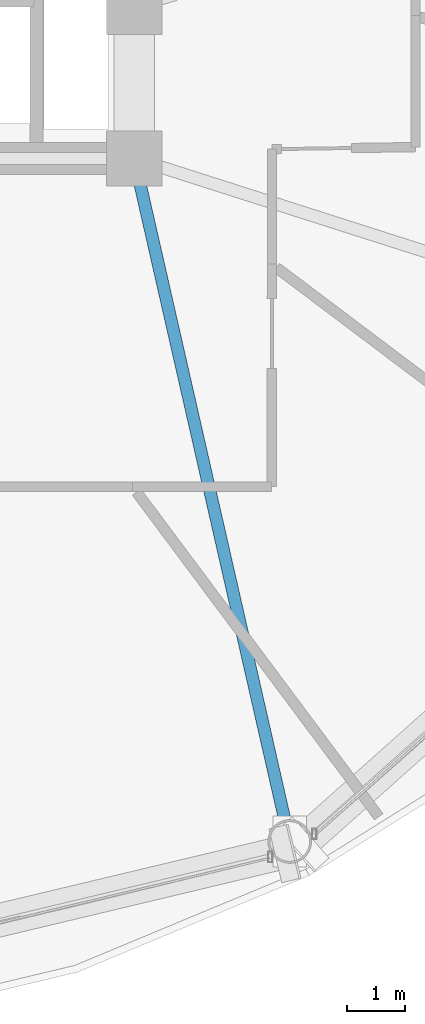
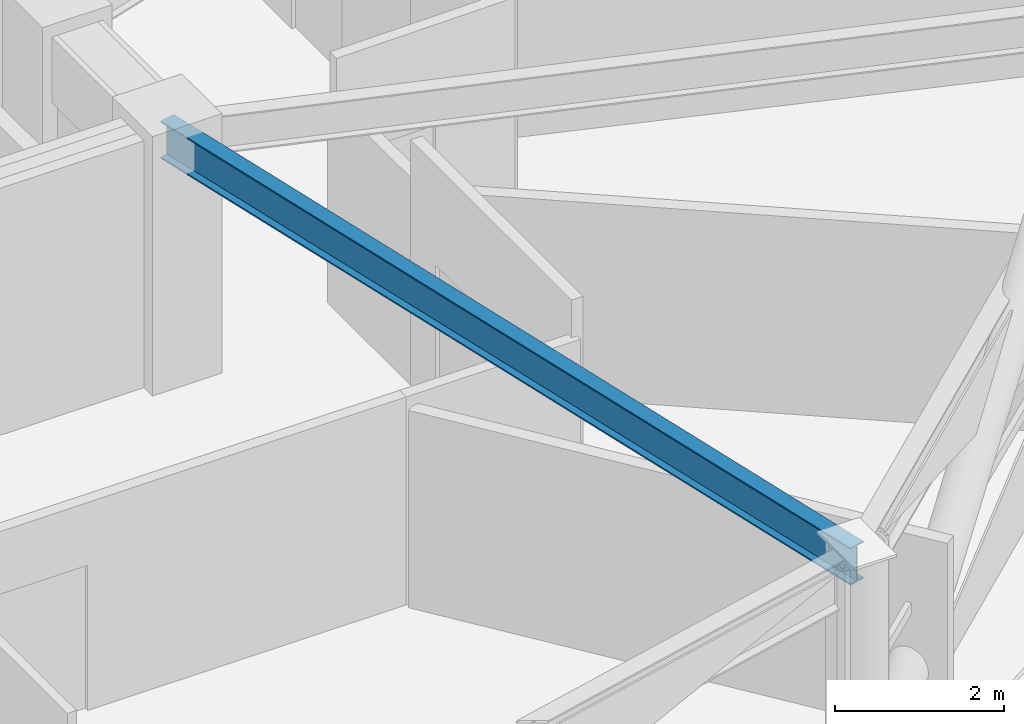
# One storey, part 9 of 29: 1 beam.
"""IFC4 building model written with IfcOpenShell, lengths in metres."""

from ifc_helpers import new_model, si_unit, direction, frame, origin, origin_2d, place, context, subcontext, project, spatial, i_section, extrude, material, material_profile, profile_set, type_object, element, save


model = new_model("IFC4")

# Units and contexts
model_context = context("Model", 3, precision=1e-05, world=origin(), true_north=direction((0.0, 1.0)))
body_context = subcontext(model_context, "Body", "Model", "MODEL_VIEW")
ifc_project = project(units=[si_unit("LENGTHUNIT", "METRE"), si_unit("AREAUNIT", "SQUARE_METRE"), si_unit("VOLUMEUNIT", "CUBIC_METRE"), si_unit("PLANEANGLEUNIT", "RADIAN"), si_unit("MASSUNIT", "GRAM", prefix="KILO")], contexts=[model_context])

# Site, building, storey
site_placement = place(None, origin())
site = spatial("IfcSite", under=ifc_project, at=site_placement, CompositionType="ELEMENT")
building_placement = place(site_placement, origin())
building = spatial("IfcBuilding", under=site, at=building_placement, Name="Vantalir Tower", CompositionType="ELEMENT")
storey_placement = place(building_placement, frame((0.0, 0.0, 164.699951171875)))
storey = spatial("IfcBuildingStorey", under=building, at=storey_placement, Name="L41", CompositionType="ELEMENT", Elevation=164.699951171875)

# Beam
ifc_material = material(Name="Steel S355", Category="steel")
ifc_material_profile = material_profile(ifc_material, i_section(OverallWidth=0.2109375, OverallDepth=0.5390625, WebThickness=0.01171875, FlangeThickness=0.018798828125, at=origin_2d()), Name="Steel S355")
ifc_profile_set = profile_set([ifc_material_profile], Name="Steel S355")
beam_type = type_object("IfcBeamType", Name="BM-RB-533x210", PredefinedType="BEAM", material=ifc_profile_set)
beam_placement = place(storey_placement, frame((43.76806640625, 6.0791015625, 3.301025390625), z_axis=(-0.221946768122, 0.97505878393, 0.0), x_axis=(-0.97505878393, -0.221946768122, 0.0)))
element("IfcBeam", 1, at=beam_placement, inside=storey, type_object=beam_type, Name="L41 Radial Floor Beam 11", PredefinedType="BEAM", context=body_context, shape_type="SweptSolid", body=[
    extrude(i_section(OverallWidth=0.2109375, OverallDepth=0.5390625, WebThickness=0.01171875, FlangeThickness=0.018798828125, at=origin_2d()), origin(), (0.0, 0.0, 1.0), 12.020751953125),
])

save(model, "model.ifc")
